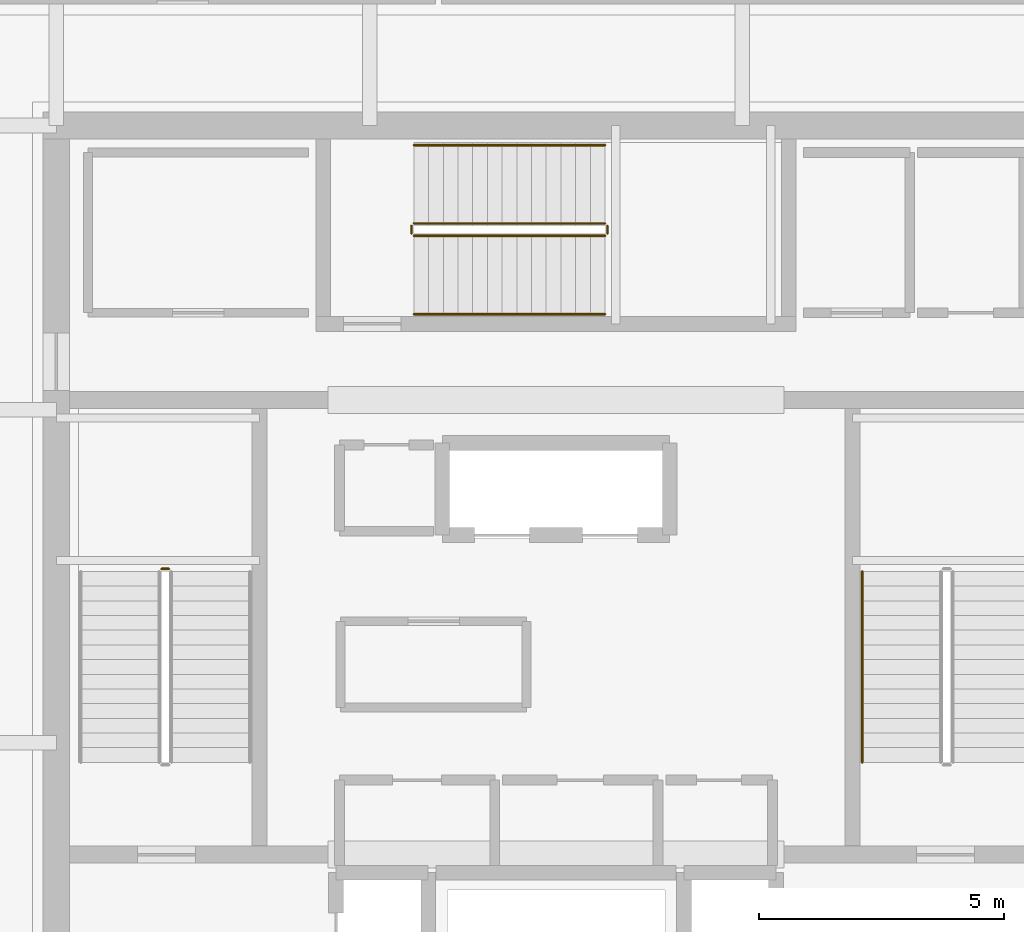
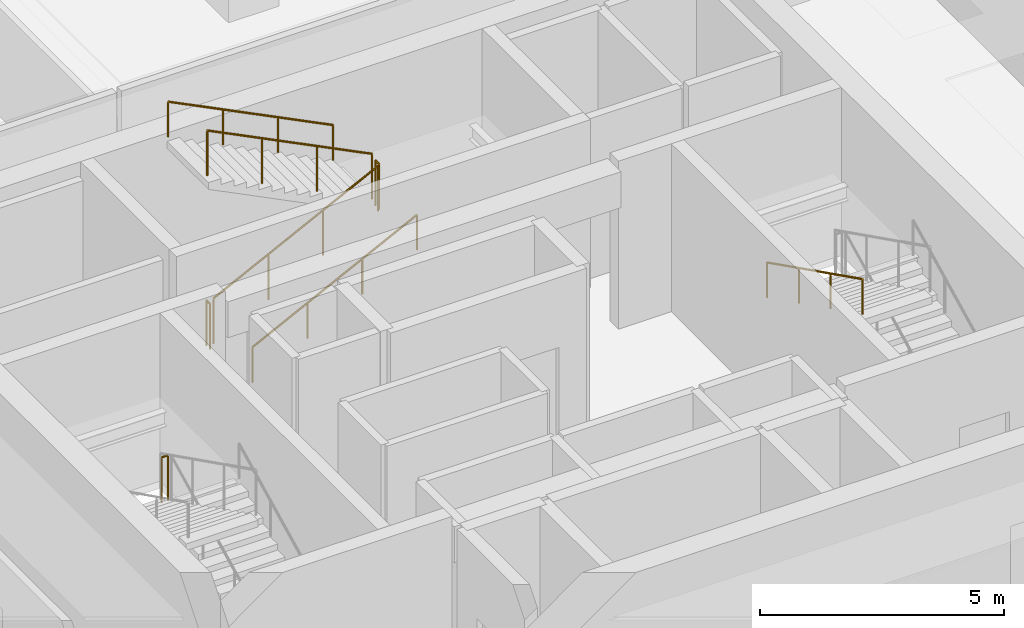
# One storey, part 39 of 41: 8 railings.
"""IFC4 building model written with IfcOpenShell, lengths in metres."""

from ifc_helpers import new_model, si_unit, direction, frame, origin, origin_2d, place, context, subcontext, project, spatial, circle, extrude, material, type_object, element, save


model = new_model("IFC4")

# Units and contexts
model_context = context("Model", 3, precision=1e-05, world=origin(), true_north=direction((0.0, 1.0)))
body_context = subcontext(model_context, "Body", "Model", "MODEL_VIEW")
ifc_project = project(units=[si_unit("LENGTHUNIT", "METRE"), si_unit("AREAUNIT", "SQUARE_METRE"), si_unit("VOLUMEUNIT", "CUBIC_METRE"), si_unit("PLANEANGLEUNIT", "RADIAN"), si_unit("MASSUNIT", "GRAM", prefix="KILO")], contexts=[model_context])

# Site, building, storey
site_placement = place(None, origin())
site = spatial("IfcSite", under=ifc_project, at=site_placement, CompositionType="ELEMENT")
building_placement = place(site_placement, origin())
building = spatial("IfcBuilding", under=site, at=building_placement, Name="Punatoya Terracotta Tower", CompositionType="ELEMENT")
storey_placement = place(building_placement, frame((0.0, 0.0, 309.0)))
storey = spatial("IfcBuildingStorey", under=building, at=storey_placement, Name="L73", CompositionType="ELEMENT", Elevation=309.0)

# Railings
ifc_material = material(Name="Steel S355", Category="steel")
railing_type_1 = type_object("IfcRailingType", Name="RLG-GRD-1150", PredefinedType="GUARDRAIL", material=ifc_material)
railing_1_placement = place(storey_placement, frame((-7.89990234375, 0.14990234375, 2.10009765625)))
element("IfcRailing", 1, at=railing_1_placement, inside=storey, type_object=railing_type_1, Name="L73 ST-1 stair guard 2", PredefinedType="GUARDRAIL", context=body_context, shape_type="SweptSolid", body=[
    extrude(circle(Radius=0.02392578125, at=origin_2d()), frame((0.0, 0.0, 1.1259765625), z_axis=(-1.0, 0.0, 0.0), x_axis=(0.0, -1.0, 0.0)), (0.0, 0.0, 1.0), 0.150146484375),
    extrude(circle(Radius=0.02099609375, at=origin_2d()), origin(), (0.0, 0.0, 1.0), 1.101806640625),
    extrude(circle(Radius=0.02099609375, at=origin_2d()), frame((-0.150146484375, 0.0, 0.0)), (0.0, 0.0, 1.0), 1.101806640625),
])
railing_2_placement = place(storey_placement, frame((-2.89990234375, 6.949951171875, 0.14990234375)))
element("IfcRailing", 2, at=railing_2_placement, inside=storey, type_object=railing_type_1, Name="L73 ST-3 stair guard 1", PredefinedType="GUARDRAIL", context=body_context, shape_type="SweptSolid", body=[
    extrude(circle(Radius=0.02392578125, at=origin_2d()), frame((0.0, 0.0, 1.1259765625), z_axis=(0.894404793364, 0.0, 0.447258387967), x_axis=(0.0, 1.0, 0.0)), (0.0, 0.0, 1.0), 4.3603515625),
    extrude(circle(Radius=0.02099609375, at=origin_2d()), origin(), (0.0, 0.0, 1.0), 1.101806640625),
    extrude(circle(Radius=0.02099609375, at=origin_2d()), frame((1.300048828125, 0.0, 0.650146484375)), (0.0, 0.0, 1.0), 1.101806640625),
    extrude(circle(Radius=0.02099609375, at=origin_2d()), frame((2.599853515625, 0.0, 1.300048828125)), (0.0, 0.0, 1.0), 1.101806640625),
    extrude(circle(Radius=0.02099609375, at=origin_2d()), frame((3.89990234375, 0.0, 1.9501953125)), (0.0, 0.0, 1.0), 1.101806640625),
])
railing_3_placement = place(storey_placement, frame((1.050048828125, 7.0, 2.10009765625)))
element("IfcRailing", 3, at=railing_3_placement, inside=storey, type_object=railing_type_1, Name="L73 ST-3 stair guard 2", PredefinedType="GUARDRAIL", context=body_context, shape_type="SweptSolid", body=[
    extrude(circle(Radius=0.02392578125, at=origin_2d()), frame((0.0, 0.0, 1.1259765625), z_axis=(0.0, 1.0, 0.0), x_axis=(-1.0, 0.0, 0.0)), (0.0, 0.0, 1.0), 0.14990234375),
    extrude(circle(Radius=0.02099609375, at=origin_2d()), origin(), (0.0, 0.0, 1.0), 1.101806640625),
    extrude(circle(Radius=0.02099609375, at=origin_2d()), frame((0.0, 0.14990234375, 0.0)), (0.0, 0.0, 1.0), 1.101806640625),
])
railing_4_placement = place(storey_placement, frame((1.0, 7.199951171875, 2.25)))
element("IfcRailing", 4, at=railing_4_placement, inside=storey, type_object=railing_type_1, Name="L73 ST-3 stair guard 3", PredefinedType="GUARDRAIL", context=body_context, shape_type="SweptSolid", body=[
    extrude(circle(Radius=0.02392578125, at=origin_2d()), frame((0.0, 0.0, 1.1259765625), z_axis=(-0.894427191, 0.0, 0.4472135955), x_axis=(0.0, -1.0, 0.0)), (0.0, 0.0, 1.0), 4.360107421875),
    extrude(circle(Radius=0.02099609375, at=origin_2d()), origin(), (0.0, 0.0, 1.0), 1.101806640625),
    extrude(circle(Radius=0.02099609375, at=origin_2d()), frame((-1.300048828125, 0.0, 0.64990234375)), (0.0, 0.0, 1.0), 1.101806640625),
    extrude(circle(Radius=0.02099609375, at=origin_2d()), frame((-2.599853515625, 0.0, 1.300048828125)), (0.0, 0.0, 1.0), 1.101806640625),
    extrude(circle(Radius=0.02099609375, at=origin_2d()), frame((-3.89990234375, 0.0, 1.949951171875)), (0.0, 0.0, 1.0), 1.101806640625),
])
railing_5_placement = place(storey_placement, frame((-2.949951171875, 7.0, 0.0)))
element("IfcRailing", 5, at=railing_5_placement, inside=storey, type_object=railing_type_1, Name="L73 ST-3 stair guard 4", PredefinedType="GUARDRAIL", context=body_context, shape_type="SweptSolid", body=[
    extrude(circle(Radius=0.02392578125, at=origin_2d()), frame((0.0, 0.0, 1.1259765625), z_axis=(0.0, 1.0, 0.0), x_axis=(-1.0, 0.0, 0.0)), (0.0, 0.0, 1.0), 0.14990234375),
    extrude(circle(Radius=0.02099609375, at=origin_2d()), origin(), (0.0, 0.0, 1.0), 1.101806640625),
    extrude(circle(Radius=0.02099609375, at=origin_2d()), frame((0.0, 0.14990234375, 0.0)), (0.0, 0.0, 1.0), 1.101806640625),
])
railing_type_2 = type_object("IfcRailingType", Name="RLG-HND-900", PredefinedType="HANDRAIL", material=ifc_material)
railing_6_placement = place(storey_placement, frame((6.25, 0.10009765625, 2.25)))
element("IfcRailing", 6, at=railing_6_placement, inside=storey, type_object=railing_type_2, Name="L73 ST-2 stair handrail 2", PredefinedType="HANDRAIL", context=body_context, shape_type="SweptSolid", body=[
    extrude(circle(Radius=0.02392578125, at=origin_2d()), frame((0.0, 0.0, 0.8759765625), z_axis=(0.0, -0.894438388696, 0.447191199406), x_axis=(1.0, 0.0, 0.0)), (0.0, 0.0, 1.0), 4.3603515625),
    extrude(circle(Radius=0.02099609375, at=origin_2d()), origin(), (0.0, 0.0, 1.0), 0.851806640625),
    extrude(circle(Radius=0.02099609375, at=origin_2d()), frame((0.0, -1.300048828125, 0.64990234375)), (0.0, 0.0, 1.0), 0.851806640625),
    extrude(circle(Radius=0.02099609375, at=origin_2d()), frame((0.0, -2.60009765625, 1.300048828125)), (0.0, 0.0, 1.0), 0.851806640625),
    extrude(circle(Radius=0.02099609375, at=origin_2d()), frame((0.0, -3.900146484375, 1.949951171875)), (0.0, 0.0, 1.0), 0.851806640625),
])
railing_7_placement = place(storey_placement, frame((-2.89990234375, 5.35009765625, 0.14990234375)))
element("IfcRailing", 7, at=railing_7_placement, inside=storey, type_object=railing_type_2, Name="L73 ST-3 stair handrail 1", PredefinedType="HANDRAIL", context=body_context, shape_type="SweptSolid", body=[
    extrude(circle(Radius=0.02392578125, at=origin_2d()), frame((0.0, 0.0, 0.8759765625), z_axis=(0.894404793364, 0.0, 0.447258387967), x_axis=(0.0, 1.0, 0.0)), (0.0, 0.0, 1.0), 4.3603515625),
    extrude(circle(Radius=0.02099609375, at=origin_2d()), origin(), (0.0, 0.0, 1.0), 0.851806640625),
    extrude(circle(Radius=0.02099609375, at=origin_2d()), frame((1.300048828125, 0.0, 0.650146484375)), (0.0, 0.0, 1.0), 0.851806640625),
    extrude(circle(Radius=0.02099609375, at=origin_2d()), frame((2.599853515625, 0.0, 1.300048828125)), (0.0, 0.0, 1.0), 0.851806640625),
    extrude(circle(Radius=0.02099609375, at=origin_2d()), frame((3.89990234375, 0.0, 1.9501953125)), (0.0, 0.0, 1.0), 0.851806640625),
])
railing_8_placement = place(storey_placement, frame((1.0, 8.800048828125, 2.25)))
element("IfcRailing", 8, at=railing_8_placement, inside=storey, type_object=railing_type_2, Name="L73 ST-3 stair handrail 2", PredefinedType="HANDRAIL", context=body_context, shape_type="SweptSolid", body=[
    extrude(circle(Radius=0.02392578125, at=origin_2d()), frame((0.0, 0.0, 0.8759765625), z_axis=(-0.894427191, 0.0, 0.4472135955), x_axis=(0.0, -1.0, 0.0)), (0.0, 0.0, 1.0), 4.360107421875),
    extrude(circle(Radius=0.02099609375, at=origin_2d()), origin(), (0.0, 0.0, 1.0), 0.851806640625),
    extrude(circle(Radius=0.02099609375, at=origin_2d()), frame((-1.300048828125, 0.0, 0.64990234375)), (0.0, 0.0, 1.0), 0.851806640625),
    extrude(circle(Radius=0.02099609375, at=origin_2d()), frame((-2.599853515625, 0.0, 1.300048828125)), (0.0, 0.0, 1.0), 0.851806640625),
    extrude(circle(Radius=0.02099609375, at=origin_2d()), frame((-3.89990234375, 0.0, 1.949951171875)), (0.0, 0.0, 1.0), 0.851806640625),
])

save(model, "model.ifc")
